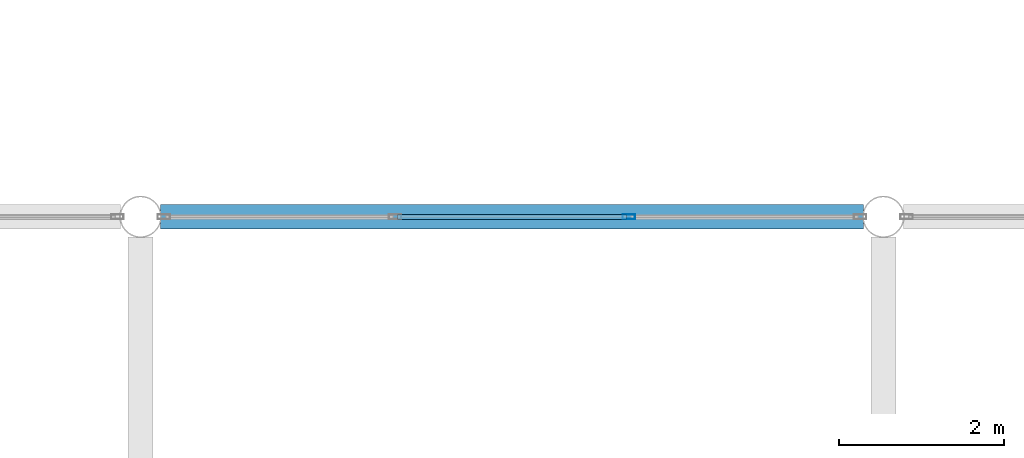
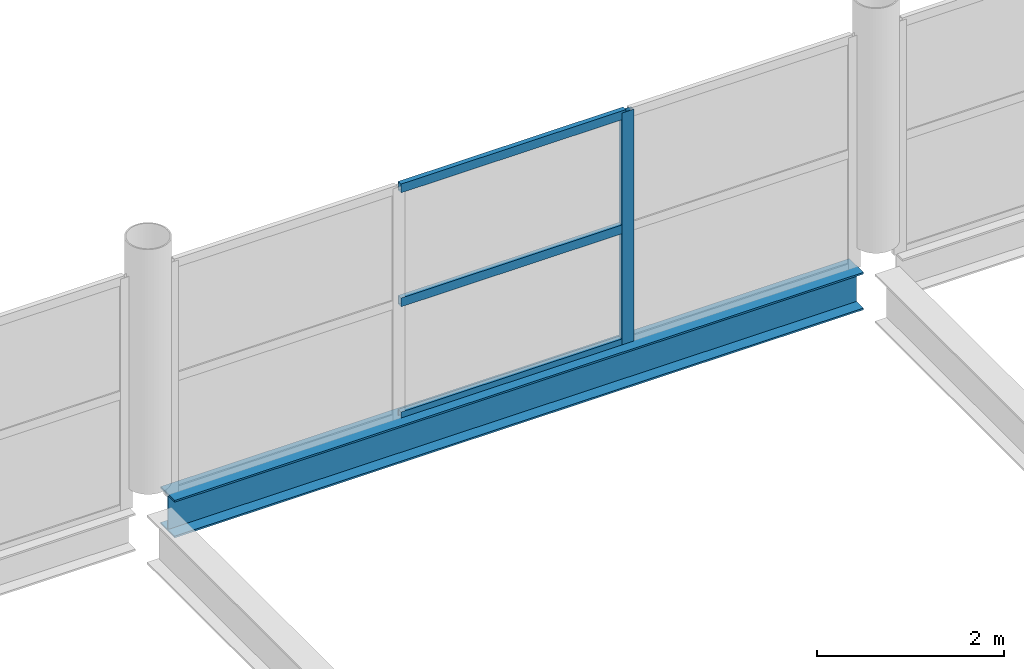
# One storey, part 38 of 134: 4 members, 1 beam, 1 element without a shape of its own.
"""IFC4 building model written with IfcOpenShell, lengths in metres."""

import ifcopenshell
import ifcopenshell.guid

model = None  # the IFC model being written
_history = None  # IfcOwnerHistory: only IFC2X3 demands one
_inside = {}  # id of a spatial element -> (the spatial element, [elements in it])
_under = {}  # id of a project, library or spatial element -> (it, [spatial elements below it])
_declared = {}  # id of a project -> (the project, [libraries it declares])
_typed = {}  # id of a type object -> (the type object, [elements of that type])
_made_of = {}  # id of a material, layer set ... -> (it, [elements and type objects made of it])


def new_model(schema):
    """Start an empty IFC model of exactly this schema.

    Asked for "IFC4X3", IfcOpenShell would pick the latest addendum, in which some entities
    have other attributes; the version numbers below select the first issue.
    IFC2X3 requires an IfcOwnerHistory on every rooted entity: one is made here for all.
    """
    global model, _history
    if schema == "IFC4X3":
        model = ifcopenshell.file(schema_version=(4, 3, 0, 0))
    else:
        model = ifcopenshell.file(schema=schema)
    _inside.clear()
    _under.clear()
    _declared.clear()
    _typed.clear()
    _made_of.clear()
    _history = None
    if model.schema == "IFC2X3":
        org = make("IfcOrganization", Name="unknown")
        user = make(
            "IfcPersonAndOrganization",
            ThePerson=make("IfcPerson", FamilyName="unknown"),
            TheOrganization=org,
        )
        app = make(
            "IfcApplication",
            ApplicationDeveloper=org,
            Version="unknown",
            ApplicationFullName="unknown",
            ApplicationIdentifier="unknown",
        )
        _history = make(
            "IfcOwnerHistory",
            OwningUser=user,
            OwningApplication=app,
            ChangeAction="ADDED",
            CreationDate=0,
        )
    return model


def make(cls, **values):
    """One entity of the class cls with the attributes given. An attribute that is None is left unset."""
    return model.create_entity(
        cls, **{name: value for name, value in values.items() if value is not None}
    )


def rooted(cls, **values):
    """An entity with a GlobalId (a new one), such as an element, a storey or a relation."""
    return make(cls, GlobalId=ifcopenshell.guid.new(), OwnerHistory=_history, **values)


def si_unit(unit_type, name, prefix=None):
    """IfcSIUnit, for example si_unit("LENGTHUNIT", "METRE", prefix="MILLI")."""
    return make("IfcSIUnit", UnitType=unit_type, Prefix=prefix, Name=name)


def assignment(units):
    """IfcUnitAssignment: the units of a project."""
    return None if units is None else make("IfcUnitAssignment", Units=units)


def point(xyz):
    """IfcCartesianPoint."""
    return None if xyz is None else make("IfcCartesianPoint", Coordinates=xyz)


def direction(xyz):
    """IfcDirection."""
    return None if xyz is None else make("IfcDirection", DirectionRatios=xyz)


def frame(location, z_axis=None, x_axis=None):
    """IfcAxis2Placement3D, a coordinate frame: its origin and axes. An axis left out is left unset."""
    return make(
        "IfcAxis2Placement3D",
        Location=point(location),
        Axis=direction(z_axis),
        RefDirection=direction(x_axis),
    )


def frame_2d(location, x_axis=None):
    """IfcAxis2Placement2D, a coordinate frame in the plane: its origin and x axis."""
    return make(
        "IfcAxis2Placement2D", Location=point(location), RefDirection=direction(x_axis)
    )


def origin():
    """The frame at (0, 0, 0) with its axes left unset."""
    return frame((0.0, 0.0, 0.0))


def origin_2d():
    """The frame at (0, 0) in the plane with its x axis left unset."""
    return frame_2d((0.0, 0.0))


def place(relative_to, where):
    """IfcLocalPlacement: puts the frame where relative to a parent placement (None: the world)."""
    return make(
        "IfcLocalPlacement", PlacementRelTo=relative_to, RelativePlacement=where
    )


def context(
    kind, dimensions, precision=None, world=None, true_north=None, identifier=None
):
    """IfcGeometricRepresentationContext, for example the 3D "Model" context."""
    return make(
        "IfcGeometricRepresentationContext",
        ContextIdentifier=identifier,
        ContextType=kind,
        CoordinateSpaceDimension=dimensions,
        Precision=precision,
        WorldCoordinateSystem=world,
        TrueNorth=true_north,
    )


def subcontext(parent, identifier, kind, view, scale=None):
    """IfcGeometricRepresentationSubContext, for example "Body" below "Model"."""
    return make(
        "IfcGeometricRepresentationSubContext",
        ContextIdentifier=identifier,
        ContextType=kind,
        ParentContext=parent,
        TargetScale=scale,
        TargetView=view,
    )


def project(units=None, contexts=None):
    """IfcProject with its units and contexts."""
    return rooted(
        "IfcProject",
        Name="project",
        RepresentationContexts=contexts,
        UnitsInContext=assignment(units),
    )


def spatial(cls, under=None, at=None, **own):
    """A site, building, storey or space (cls), placed at a placement, below another one or the project."""
    s = rooted(cls, ObjectPlacement=at, **own)
    if under is not None:
        _under.setdefault(under.id(), (under, []))[1].append(s)
    return s


def profile(cls, at=None, kind="AREA", **sizes):
    """A parametric profile (cls). Its sizes go by their IFC names, for example OverallWidth=200.0."""
    return make(cls, ProfileType=kind, Position=at, **sizes)


def hollow_rectangle(**sizes):
    """IfcRectangleHollowProfileDef."""
    return profile("IfcRectangleHollowProfileDef", **sizes)


def i_section(**sizes):
    """IfcIShapeProfileDef."""
    return profile("IfcIShapeProfileDef", **sizes)


def extrude(swept, where, along, depth):
    """IfcExtrudedAreaSolid: the profile swept, set in the frame where, extruded along a direction by depth."""
    return make(
        "IfcExtrudedAreaSolid",
        SweptArea=swept,
        Position=where,
        ExtrudedDirection=direction(along),
        Depth=depth,
    )


def shape(context_of_items, identifier, shape_type, items):
    """IfcShapeRepresentation: the items that make up one representation, for example the "Body"."""
    return make(
        "IfcShapeRepresentation",
        ContextOfItems=context_of_items,
        RepresentationIdentifier=identifier,
        RepresentationType=shape_type,
        Items=items,
    )


def material(Name=None, Category=None):
    """IfcMaterial."""
    return make("IfcMaterial", Name=Name, Category=Category)


def layer(
    of_material, thickness, ventilated=None, Name=None, Category=None, Priority=None
):
    """IfcMaterialLayer: one layer of a wall or slab, of a material (None: an air gap)."""
    return make(
        "IfcMaterialLayer",
        Material=of_material,
        LayerThickness=thickness,
        IsVentilated=ventilated,
        Name=Name,
        Category=Category,
        Priority=Priority,
    )


def layer_set(layers, Name=None):
    """IfcMaterialLayerSet."""
    return make("IfcMaterialLayerSet", MaterialLayers=layers, LayerSetName=Name)


def material_profile(
    of_material, cross_section, Name=None, Category=None, Priority=None
):
    """IfcMaterialProfile: a cross section and its material."""
    return make(
        "IfcMaterialProfile",
        Name=Name,
        Material=of_material,
        Profile=cross_section,
        Priority=Priority,
        Category=Category,
    )


def profile_set(profiles, Name=None, composite=None):
    """IfcMaterialProfileSet."""
    return make(
        "IfcMaterialProfileSet",
        Name=Name,
        MaterialProfiles=profiles,
        CompositeProfile=composite,
    )


def made_of(thing, what):
    """Note that an element or type object is made of a material, layer set ...; save() writes the relation."""
    if what is not None:
        _made_of.setdefault(what.id(), (what, []))[1].append(thing)
    return thing


def type_object(cls, material=None, **own):
    """A type object (cls), such as IfcWallType, which elements share."""
    return made_of(rooted(cls, **own), material)


def element(
    cls,
    number,
    at=None,
    inside=None,
    cuts=None,
    type_object=None,
    material=None,
    context=None,
    identifier="Body",
    shape_type=None,
    held_by="IfcProductDefinitionShape",
    body=None,
    shapes=None,
    **own,
):
    """One element of the class cls, such as IfcWall. Its Tag is "e" and its number.

    at: its placement. inside: the storey or other place that contains it. cuts: it is an
    opening in that element (IfcRelVoidsElement). A single representation is given by context,
    identifier, shape_type and body (its items); several are given by shapes. held_by: the class
    of the entity that holds the representations. save() writes the other relations.
    """
    e = rooted(cls, Tag="e%d" % number, ObjectPlacement=at, **own)
    if body is not None:
        shapes = [shape(context, identifier, shape_type, body)]
    if shapes is not None:
        e.Representation = make(held_by, Representations=shapes)
    if inside is not None:
        _inside.setdefault(inside.id(), (inside, []))[1].append(e)
    if cuts is not None:
        rooted(
            "IfcRelVoidsElement", RelatingBuildingElement=cuts, RelatedOpeningElement=e
        )
    if type_object is not None:
        _typed.setdefault(type_object.id(), (type_object, []))[1].append(e)
    return made_of(e, material)


def aggregate(whole, parts):
    """IfcRelAggregates: a whole, such as a stair, and the parts it consists of."""
    return rooted("IfcRelAggregates", RelatingObject=whole, RelatedObjects=parts)


def save(model, path):
    """Write the relations noted so far, then the file.

    IfcRelAggregates (storeys below a building ...), IfcRelContainedInSpatialStructure (elements
    in a storey), IfcRelDefinesByType, IfcRelAssociatesMaterial and IfcRelDeclares: one each for
    every whole, place, type object, material and project.
    """
    for whole, parts in _under.values():
        aggregate(whole, parts)
    for where, things in _inside.values():
        rooted(
            "IfcRelContainedInSpatialStructure",
            RelatedElements=things,
            RelatingStructure=where,
        )
    for kind, things in _typed.values():
        rooted("IfcRelDefinesByType", RelatedObjects=things, RelatingType=kind)
    for what, things in _made_of.values():
        rooted("IfcRelAssociatesMaterial", RelatedObjects=things, RelatingMaterial=what)
    for by, libraries in _declared.values():
        rooted("IfcRelDeclares", RelatingContext=by, RelatedDefinitions=libraries)
    model.write(path)


model = new_model("IFC4")

# Units and contexts
model_context = context("Model", 3, precision=1e-05, world=origin(), true_north=direction((0.0, 1.0)))
body_context = subcontext(model_context, "Body", "Model", "MODEL_VIEW")
ifc_project = project(units=[si_unit("LENGTHUNIT", "METRE"), si_unit("AREAUNIT", "SQUARE_METRE"), si_unit("VOLUMEUNIT", "CUBIC_METRE"), si_unit("PLANEANGLEUNIT", "RADIAN"), si_unit("MASSUNIT", "GRAM", prefix="KILO")], contexts=[model_context])

# Site, building, storey
site_placement = place(None, origin())
site = spatial("IfcSite", under=ifc_project, at=site_placement, CompositionType="ELEMENT")
building_placement = place(site_placement, origin())
building = spatial("IfcBuilding", under=site, at=building_placement, Name="Tamarisk Ironworks Central Station", CompositionType="ELEMENT")
storey_placement = place(building_placement, frame((0.0, 0.0, 12.60009765625)))
storey = spatial("IfcBuildingStorey", under=building, at=storey_placement, Name="L02", CompositionType="ELEMENT", Elevation=12.60009765625)

# Beam
ifc_material_1 = material(Name="Structural steel S355J2", Category="steel")
ifc_material_profile_1 = material_profile(ifc_material_1, i_section(OverallWidth=0.300048828125, OverallDepth=0.489990234375, WebThickness=0.011962890625, FlangeThickness=0.02294921875, at=origin_2d()), Name="HEA 500")
ifc_profile_set_1 = profile_set([ifc_material_profile_1], Name="Structural steel S355J2")
beam_type = type_object("IfcBeamType", Name="BM-G05", PredefinedType="BEAM", material=ifc_profile_set_1)
beam_placement = place(storey_placement, frame((9.241943359375, 79.199951171875, -0.4951171875), z_axis=(1.0, 0.0, 0.0), x_axis=(0.0, 1.0, 0.0)))
element("IfcBeam", 1, at=beam_placement, inside=storey, type_object=beam_type, Name="L02 primary girder X-0356", PredefinedType="BEAM", context=body_context, shape_type="SweptSolid", body=[
    extrude(i_section(OverallWidth=0.300048828125, OverallDepth=0.489990234375, WebThickness=0.011962890625, FlangeThickness=0.02294921875, at=origin_2d()), origin(), (0.0, 0.0, 1.0), 8.51611328125),
])

# Curtain wall, members
ifc_material_2 = material(Name="Anodized aluminium alloy 6063-T6", Category="aluminium")
ifc_layer = layer(ifc_material_2, 0.179931640625)
ifc_layer_set = layer_set([ifc_layer], Name="Anodized aluminium alloy 6063-T6")
curtain_wall_type = type_object("IfcCurtainWallType", Name="CW-08", PredefinedType="USERDEFINED", material=ifc_layer_set)
curtain_wall_placement = place(storey_placement, origin())
curtain_wall = element("IfcCurtainWall", 2, at=curtain_wall_placement, inside=storey, type_object=curtain_wall_type, Name="Train shed WN clerestory curtain wall 009", ObjectType="GLAZED CURTAIN WALL", PredefinedType="USERDEFINED")
ifc_material_profile_2 = material_profile(ifc_material_2, hollow_rectangle(XDim=0.06005859375, YDim=0.14990234375, WallThickness=0.00341796875, at=origin_2d()), Name="ALUM 150x60")
ifc_profile_set_2 = profile_set([ifc_material_profile_2], Name="Anodized aluminium alloy 6063-T6")
member_type_1 = type_object("IfcMemberType", Name="CWM-03", PredefinedType="MULLION", material=ifc_profile_set_2)
member_1_placement = place(storey_placement, frame((14.916015625, 79.199951171875, -0.260009765625), z_axis=(0.0, 0.0, 1.0), x_axis=(0.0, 1.0, 0.0)))
member_1 = element("IfcMember", 3, at=member_1_placement, type_object=member_type_1, Name="CW08 mullion 3", PredefinedType="MULLION", context=body_context, shape_type="SweptSolid", body=[
    extrude(hollow_rectangle(XDim=0.06005859375, YDim=0.14990234375, WallThickness=0.00341796875, at=origin_2d()), origin(), (0.0, 0.0, 1.0), 3.039794921875),
])
ifc_material_profile_3 = material_profile(ifc_material_2, hollow_rectangle(XDim=0.06005859375, YDim=0.114990234375, WallThickness=0.00341796875, at=origin_2d()), Name="ALUM 115x60")
ifc_profile_set_3 = profile_set([ifc_material_profile_3], Name="Anodized aluminium alloy 6063-T6")
member_type_2 = type_object("IfcMemberType", Name="CWT-03", PredefinedType="USERDEFINED", material=ifc_profile_set_3)
member_2_placement = place(storey_placement, frame((12.110107421875, 79.199951171875, -0.22998046875), z_axis=(1.0, 0.0, 0.0), x_axis=(0.0, 1.0, 0.0)))
member_2 = element("IfcMember", 4, at=member_2_placement, type_object=member_type_2, Name="CW08 transom 2.1", ObjectType="TRANSOM", PredefinedType="USERDEFINED", context=body_context, shape_type="SweptSolid", body=[
    extrude(hollow_rectangle(XDim=0.06005859375, YDim=0.114990234375, WallThickness=0.00341796875, at=origin_2d()), origin(), (0.0, 0.0, 1.0), 2.77978515625),
])
member_3_placement = place(storey_placement, frame((12.110107421875, 79.199951171875, 1.260009765625), z_axis=(1.0, 0.0, 0.0), x_axis=(0.0, 1.0, 0.0)))
member_3 = element("IfcMember", 5, at=member_3_placement, type_object=member_type_2, Name="CW08 transom 2.2", ObjectType="TRANSOM", PredefinedType="USERDEFINED", context=body_context, shape_type="SweptSolid", body=[
    extrude(hollow_rectangle(XDim=0.06005859375, YDim=0.114990234375, WallThickness=0.00341796875, at=origin_2d()), origin(), (0.0, 0.0, 1.0), 2.77978515625),
])
member_4_placement = place(storey_placement, frame((12.110107421875, 79.199951171875, 2.75), z_axis=(1.0, 0.0, 0.0), x_axis=(0.0, 1.0, 0.0)))
member_4 = element("IfcMember", 6, at=member_4_placement, type_object=member_type_2, Name="CW08 transom 2.3", ObjectType="TRANSOM", PredefinedType="USERDEFINED", context=body_context, shape_type="SweptSolid", body=[
    extrude(hollow_rectangle(XDim=0.06005859375, YDim=0.114990234375, WallThickness=0.00341796875, at=origin_2d()), origin(), (0.0, 0.0, 1.0), 2.77978515625),
])
aggregate(curtain_wall, [member_1, member_2, member_3, member_4])

save(model, "model.ifc")
